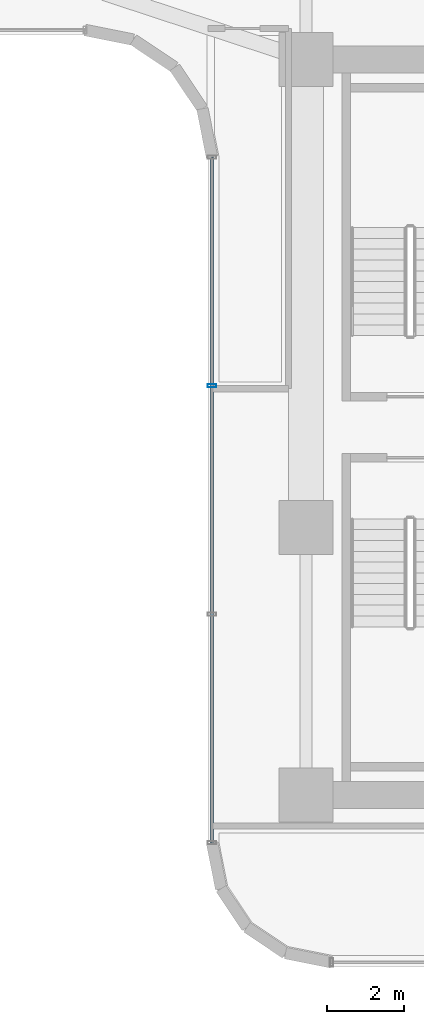
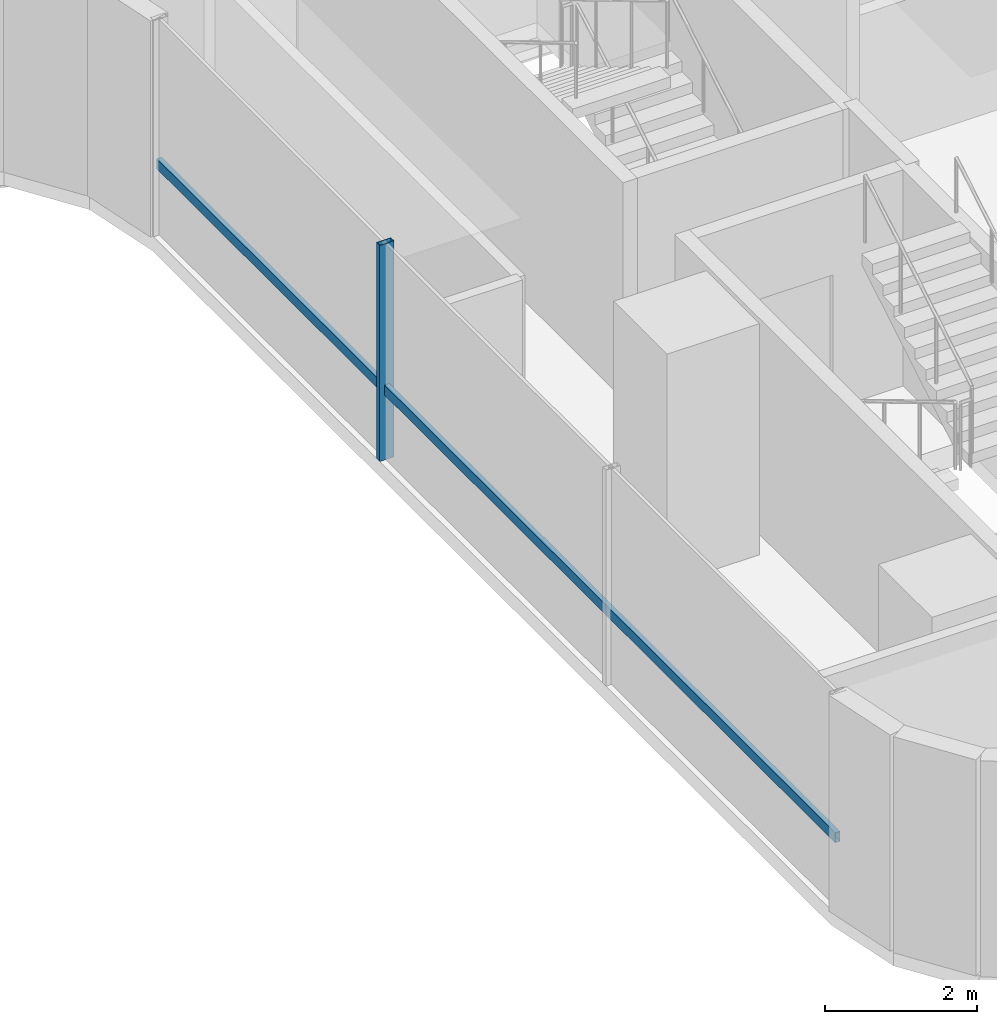
# One storey, part 13 of 40: 2 members, 1 element without a shape of its own.
"""IFC4 building model written with IfcOpenShell, lengths in metres."""

from ifc_helpers import new_model, si_unit, direction, frame, origin, origin_2d, place, context, subcontext, project, spatial, hollow_rectangle, extrude, source, transform, mapped, material, material_profile, profile_set, type_object, element, aggregate, save


model = new_model("IFC4")

# Units and contexts
model_context = context("Model", 3, precision=1e-05, world=origin(), true_north=direction((0.0, 1.0)))
body_context = subcontext(model_context, "Body", "Model", "MODEL_VIEW")
ifc_project = project(units=[si_unit("LENGTHUNIT", "METRE"), si_unit("AREAUNIT", "SQUARE_METRE"), si_unit("VOLUMEUNIT", "CUBIC_METRE"), si_unit("PLANEANGLEUNIT", "RADIAN"), si_unit("MASSUNIT", "GRAM", prefix="KILO")], contexts=[model_context])

# Site, building, storey
site_placement = place(None, origin())
site = spatial("IfcSite", under=ifc_project, at=site_placement, CompositionType="ELEMENT")
building_placement = place(site_placement, origin())
building = spatial("IfcBuilding", under=site, at=building_placement, Name="Valdorenza Pilgrim Sanctuary Tower", CompositionType="ELEMENT")
storey_placement = place(building_placement, frame((0.0, 0.0, 40.800048828125)))
storey = spatial("IfcBuildingStorey", under=building, at=storey_placement, Name="L09", CompositionType="ELEMENT", Elevation=40.800048828125)

# Curtain wall, members
ifc_material_1 = material(Name="Curtain-wall IGU glazing", Category="glass")
curtain_wall_type = type_object("IfcCurtainWallType", Name="CW-SYS-03", PredefinedType="NOTDEFINED", material=ifc_material_1)
curtain_wall_placement = place(storey_placement, origin())
curtain_wall = element("IfcCurtainWall", 1, at=curtain_wall_placement, inside=storey, type_object=curtain_wall_type, Name="L09 Curtain Wall CW-L09-1-31", PredefinedType="NOTDEFINED")
ifc_material_2 = material(Name="Anodised aluminium AW-6060", Category="aluminium")
ifc_material_profile_1 = material_profile(ifc_material_2, hollow_rectangle(XDim=0.0849609375, YDim=0.219970703125, WallThickness=0.0048828125, at=origin_2d()), Name="ALU-M 220x85x5")
ifc_profile_set_1 = profile_set([ifc_material_profile_1], Name="Anodised aluminium AW-6060")
member_type_1 = type_object("IfcMemberType", Name="CW-MUL-03", PredefinedType="MULLION", material=ifc_profile_set_1)
shared_shape_1 = source(origin(), body_context, "Body", "SweptSolid", [
    extrude(hollow_rectangle(XDim=0.0849609375, YDim=0.219970703125, WallThickness=0.0048828125, at=origin_2d()), origin(), (0.0, 0.0, 1.0), 3.4599609375),
])
member_1_placement = place(storey_placement, frame((13.409912109375, 1.077392578125, 0.0), z_axis=(0.0, 0.0, 1.0), x_axis=(0.0, 1.0, 0.0)))
member_1 = element("IfcMember", 2, at=member_1_placement, type_object=member_type_1, Name="CW-L09-1-31 Mullion 3", PredefinedType="MULLION", context=body_context, shape_type="MappedRepresentation", body=[
    mapped(shared_shape_1, transform((0.0, 0.0, 0.0), x_axis=(1.0, 0.0, 0.0), y_axis=(0.0, 1.0, 0.0), z_axis=(0.0, 0.0, 1.0), scale=1.0)),
])
ifc_material_profile_2 = material_profile(ifc_material_2, hollow_rectangle(XDim=0.074951171875, YDim=0.159912109375, WallThickness=0.00390625, at=origin_2d()), Name="ALU-T 160x75x4")
ifc_profile_set_2 = profile_set([ifc_material_profile_2], Name="Anodised aluminium AW-6060")
member_type_2 = type_object("IfcMemberType", Name="CW-TRN-03", PredefinedType="USERDEFINED", material=ifc_profile_set_2)
shared_shape_2 = source(origin(), body_context, "Body", "SweptSolid", [
    extrude(hollow_rectangle(XDim=0.074951171875, YDim=0.159912109375, WallThickness=0.00390625, at=origin_2d()), origin(), (0.0, 0.0, 1.0), 17.800048828125),
])
member_2_placement = place(storey_placement, frame((13.409912109375, -10.789306640625, 1.119873046875), z_axis=(0.0, 1.0, 0.0), x_axis=(-1.0, 0.0, 0.0)))
member_2 = element("IfcMember", 3, at=member_2_placement, type_object=member_type_2, Name="CW-L09-1-31 Transom 1", ObjectType="TRANSOM", PredefinedType="USERDEFINED", context=body_context, shape_type="MappedRepresentation", body=[
    mapped(shared_shape_2, transform((0.0, 0.0, 0.0), x_axis=(1.0, 0.0, 0.0), y_axis=(0.0, 1.0, 0.0), z_axis=(0.0, 0.0, 1.0), scale=1.0)),
])
aggregate(curtain_wall, [member_1, member_2])

save(model, "model.ifc")
